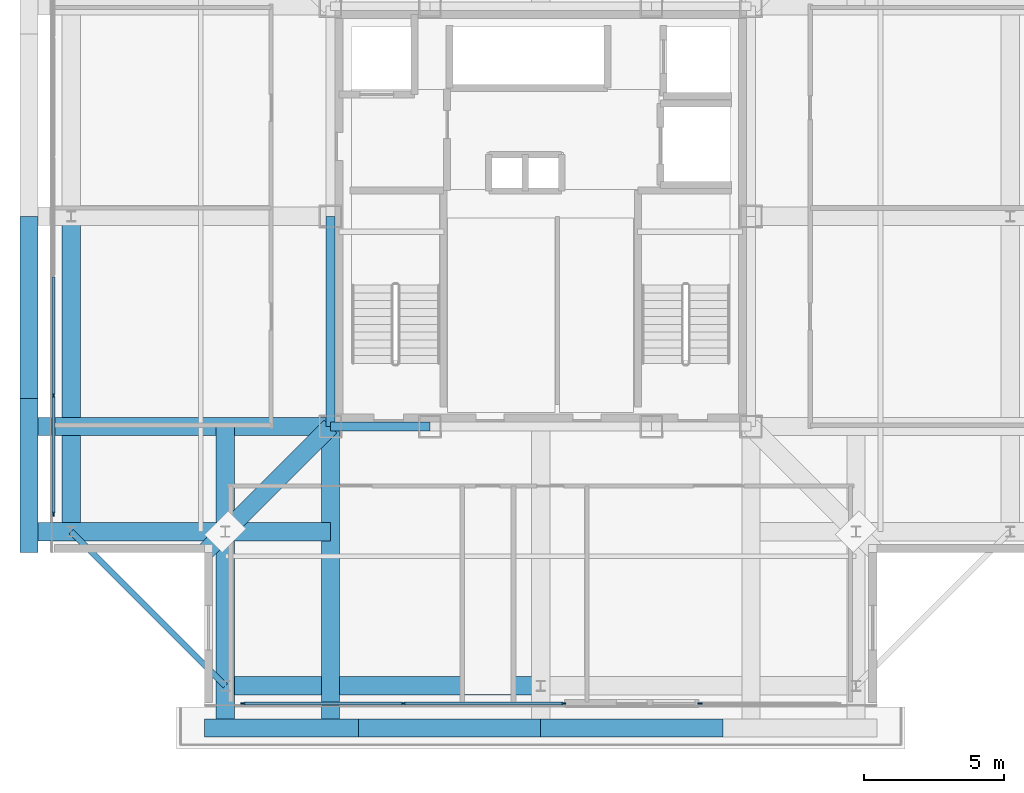
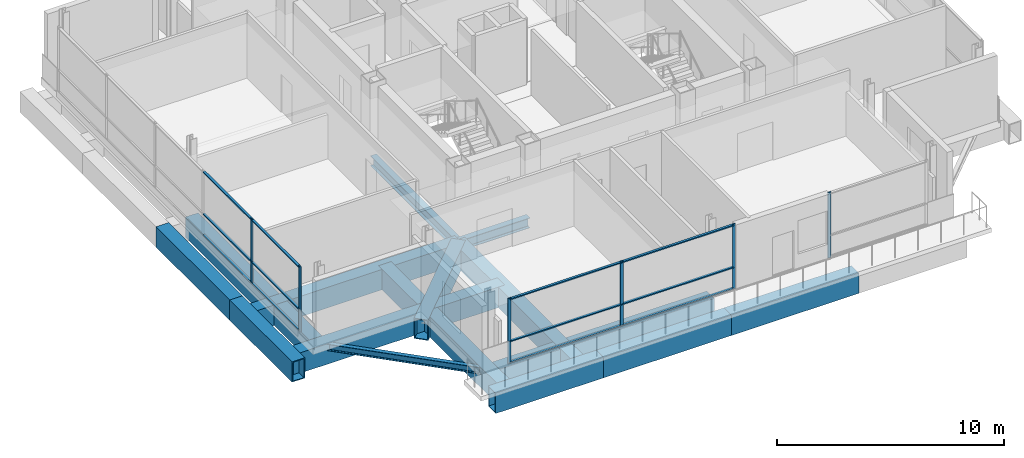
# One storey, part 2 of 15: 18 members, 15 beams, 3 elements without a shape of their own.
"""IFC4 building model written with IfcOpenShell, lengths in metres."""

from ifc_helpers import new_model, si_unit, direction, frame, origin, origin_2d, place, context, subcontext, project, spatial, rectangle, hollow_rectangle, i_section, extrude, material, layer, layer_set, material_profile, profile_set, type_object, element, aggregate, save


model = new_model("IFC4")

# Units and contexts
model_context = context("Model", 3, precision=1e-05, world=origin(), true_north=direction((0.0, 1.0)))
body_context = subcontext(model_context, "Body", "Model", "MODEL_VIEW")
ifc_project = project(units=[si_unit("LENGTHUNIT", "METRE"), si_unit("AREAUNIT", "SQUARE_METRE"), si_unit("VOLUMEUNIT", "CUBIC_METRE"), si_unit("PLANEANGLEUNIT", "RADIAN"), si_unit("MASSUNIT", "GRAM", prefix="KILO")], contexts=[model_context])

# Site, building, storey
site_placement = place(None, origin())
site = spatial("IfcSite", under=ifc_project, at=site_placement, CompositionType="ELEMENT")
building_placement = place(site_placement, origin())
building = spatial("IfcBuilding", under=site, at=building_placement, Name="Trevonay Congress Spire", CompositionType="ELEMENT")
storey_placement = place(building_placement, frame((0.0, 0.0, 300.800048828125)))
storey = spatial("IfcBuildingStorey", under=building, at=storey_placement, Name="L79", CompositionType="ELEMENT", Elevation=300.800048828125)

# Beams
ifc_material_1 = material(Name="Steel ASTM A572 Grade 50", Category="steel")
ifc_material_profile_1 = material_profile(ifc_material_1, i_section(OverallWidth=0.31201171875, OverallDepth=0.54296875, WebThickness=0.0126953125, FlangeThickness=0.020263671875, FilletRadius=0.014892578125, at=origin_2d()), Name="W530x150")
ifc_profile_set_1 = profile_set([ifc_material_profile_1], Name="Steel ASTM A572 Grade 50")
beam_type_1 = type_object("IfcBeamType", Name="BM-GIRD-W530X150", PredefinedType="BEAM", material=ifc_profile_set_1)
beam_1_placement = place(storey_placement, frame((-7.5, -7.5, -0.671630859375), z_axis=(1.0, 0.0, 0.0), x_axis=(0.0, 1.0, 0.0)))
element("IfcBeam", 1, at=beam_1_placement, inside=storey, type_object=beam_type_1, Name="L79 structural beam BM-L79-CR-S1", PredefinedType="BEAM", context=body_context, shape_type="SweptSolid", body=[
    extrude(i_section(OverallWidth=0.31201171875, OverallDepth=0.54296875, WebThickness=0.0126953125, FlangeThickness=0.020263671875, FilletRadius=0.014892578125, at=origin_2d()), origin(), (0.0, 0.0, 1.0), 3.550048828125),
])
beam_2_placement = place(storey_placement, frame((-7.5, -7.5, -0.671630859375), z_axis=(0.0, 1.0, 0.0), x_axis=(-1.0, 0.0, 0.0)))
element("IfcBeam", 2, at=beam_2_placement, inside=storey, type_object=beam_type_1, Name="L79 structural beam BM-L79-CR-W1", PredefinedType="BEAM", context=body_context, shape_type="SweptSolid", body=[
    extrude(i_section(OverallWidth=0.31201171875, OverallDepth=0.54296875, WebThickness=0.0126953125, FlangeThickness=0.020263671875, FilletRadius=0.014892578125, at=origin_2d()), origin(), (0.0, 0.0, 1.0), 7.5),
])
ifc_material_profile_2 = material_profile(ifc_material_1, hollow_rectangle(XDim=0.64990234375, YDim=1.10009765625, WallThickness=0.044921875, at=origin_2d()), Name="BOX 1100x650x45")
ifc_profile_set_2 = profile_set([ifc_material_profile_2], Name="Steel ASTM A572 Grade 50")
beam_type_2 = type_object("IfcBeamType", Name="BM-RING-BOX1100", PredefinedType="BEAM", material=ifc_profile_set_2)
for number, where, z_axis, x_axis, name in (
    (3, (-11.25, -16.75, -0.949951171875), (1.0, 0.0, 0.0), (0.0, 1.0, 0.0), "L79 structural beam BM-L79-PS1"),
    (4, (-16.75, -11.25, -0.949951171875), (0.0, 1.0, 0.0), (-1.0, 0.0, 0.0), "L79 structural beam BM-L79-PW1"),
):
    element("IfcBeam", number, at=place(storey_placement, frame(where, z_axis=z_axis, x_axis=x_axis)), inside=storey, type_object=beam_type_2, Name=name, PredefinedType="BEAM", context=body_context, shape_type="SweptSolid", body=[
        extrude(hollow_rectangle(XDim=0.64990234375, YDim=1.10009765625, WallThickness=0.044921875, at=origin_2d()), origin(), (0.0, 0.0, 1.0), 11.25),
    ])
for number, where, z_axis, x_axis, name in (
    (5, (-12.0, -18.25, -0.949951171875), (1.0, 0.0, 0.0), (0.0, 1.0, 0.0), "L79 structural beam XOUT-L79-S0"),
    (6, (-18.25, -12.0, -0.949951171875), (0.0, 1.0, 0.0), (-1.0, 0.0, 0.0), "L79 structural beam XOUT-L79-W0"),
):
    element("IfcBeam", number, at=place(storey_placement, frame(where, z_axis=z_axis, x_axis=x_axis)), inside=storey, type_object=beam_type_2, Name=name, PredefinedType="BEAM", context=body_context, shape_type="SweptSolid", body=[
        extrude(hollow_rectangle(XDim=0.64990234375, YDim=1.10009765625, WallThickness=0.044921875, at=origin_2d()), origin(), (0.0, 0.0, 1.0), 5.5),
    ])
for number, where, z_axis, x_axis, name in (
    (7, (-6.5, -18.25, -0.949951171875), (1.0, 0.0, 0.0), (0.0, 1.0, 0.0), "L79 structural beam XOUT-L79-S1"),
    (8, (-18.25, -6.5, -0.949951171875), (0.0, 1.0, 0.0), (-1.0, 0.0, 0.0), "L79 structural beam XOUT-L79-W1"),
    (9, (0.0, -18.25, -0.949951171875), (1.0, 0.0, 0.0), (0.0, 1.0, 0.0), "L79 structural beam XOUT-L79-S2"),
):
    element("IfcBeam", number, at=place(storey_placement, frame(where, z_axis=z_axis, x_axis=x_axis)), inside=storey, type_object=beam_type_2, Name=name, PredefinedType="BEAM", context=body_context, shape_type="SweptSolid", body=[
        extrude(hollow_rectangle(XDim=0.64990234375, YDim=1.10009765625, WallThickness=0.044921875, at=origin_2d()), origin(), (0.0, 0.0, 1.0), 6.5),
    ])
ifc_material_profile_3 = material_profile(ifc_material_1, hollow_rectangle(XDim=0.64990234375, YDim=1.10009765625, WallThickness=0.044921875, at=origin_2d()), Name="BOX 1100x650x45")
ifc_profile_set_3 = profile_set([ifc_material_profile_3], Name="Steel ASTM A572 Grade 50")
beam_type_3 = type_object("IfcBeamType", Name="BM-XFER-BOX1100", PredefinedType="BEAM", material=ifc_profile_set_3)
beam_3_placement = place(storey_placement, frame((-7.5, -7.5, -0.949951171875), z_axis=(-0.707106781187, -0.707106781187, 0.0), x_axis=(0.707106781187, -0.707106781187, 0.0)))
element("IfcBeam", 10, at=beam_3_placement, inside=storey, type_object=beam_type_3, Name="L79 structural beam BM-L79-CDSW", PredefinedType="BEAM", context=body_context, shape_type="SweptSolid", body=[
    extrude(hollow_rectangle(XDim=0.64990234375, YDim=1.10009765625, WallThickness=0.044921875, at=origin_2d()), origin(), (0.0, 0.0, 1.0), 6.364013671875),
])
for number, where, z_axis, x_axis, name in (
    (11, (-7.5, -7.5, -0.949951171875), (-1.0, 0.0, 0.0), (0.0, -1.0, 0.0), "L79 structural beam XSPN-L79-CX-SW"),
    (12, (-7.5, -7.5, -0.949951171875), (0.0, -1.0, 0.0), (1.0, 0.0, 0.0), "L79 structural beam XSPN-L79-CY-SW"),
    (13, (-11.25, -7.5, -0.949951171875), (0.0, -1.0, 0.0), (1.0, 0.0, 0.0), "L79 structural beam XFER-L79-S0"),
    (14, (-7.5, -11.25, -0.949951171875), (-1.0, 0.0, 0.0), (0.0, -1.0, 0.0), "L79 structural beam XFER-L79-W0"),
):
    element("IfcBeam", number, at=place(storey_placement, frame(where, z_axis=z_axis, x_axis=x_axis)), inside=storey, type_object=beam_type_3, Name=name, PredefinedType="BEAM", context=body_context, shape_type="SweptSolid", body=[
        extrude(hollow_rectangle(XDim=0.64990234375, YDim=1.10009765625, WallThickness=0.044921875, at=origin_2d()), origin(), (0.0, 0.0, 1.0), 10.75),
    ])

# Curtain wall, members
ifc_material_2 = material(Name="Pale Anodised Aluminium EN AW-6063-T6", Category="aluminium")
ifc_layer = layer(ifc_material_2, 0.159912109375, Name="Pale Anodised Aluminium EN AW-6063-T6")
ifc_layer_set = layer_set([ifc_layer], Name="Pale Anodised Aluminium EN AW-6063-T6")
curtain_wall_type = type_object("IfcCurtainWallType", Name="CW-SYS06-CROWN-PALE-METAL", PredefinedType="NOTDEFINED", material=ifc_layer_set)
curtain_wall_1_placement = place(storey_placement, origin())
curtain_wall_1 = element("IfcCurtainWall", 15, at=curtain_wall_1_placement, inside=storey, type_object=curtain_wall_type, Name="L79 SA unitised curtain wall", PredefinedType="NOTDEFINED")
ifc_material_profile_4 = material_profile(ifc_material_2, rectangle(XDim=0.06005859375, YDim=0.159912109375, at=origin_2d()), Name="CW-MULLION-160-ALUMINIUM")
ifc_profile_set_4 = profile_set([ifc_material_profile_4], Name="Pale Anodised Aluminium EN AW-6063-T6")
member_type_1 = type_object("IfcMemberType", Name="CW-MULLION-160-ALUMINIUM", PredefinedType="MULLION", material=ifc_profile_set_4)
member_1_placement = place(storey_placement, frame((-10.6201171875, -17.3798828125, 0.0), z_axis=(0.0, 0.0, 1.0), x_axis=(0.0, 1.0, 0.0)))
member_1 = element("IfcMember", 16, at=member_1_placement, type_object=member_type_1, Name="CW06 mullion 1", PredefinedType="MULLION", context=body_context, shape_type="SweptSolid", body=[
    extrude(rectangle(XDim=0.06005859375, YDim=0.159912109375, at=origin_2d()), origin(), (0.0, 0.0, 1.0), 3.52001953125),
])
member_2_placement = place(storey_placement, frame((-4.89990234375, -17.3798828125, 0.0), z_axis=(0.0, 0.0, 1.0), x_axis=(0.0, 1.0, 0.0)))
member_2 = element("IfcMember", 17, at=member_2_placement, type_object=member_type_1, Name="CW06 mullion 2", PredefinedType="MULLION", context=body_context, shape_type="SweptSolid", body=[
    extrude(rectangle(XDim=0.06005859375, YDim=0.159912109375, at=origin_2d()), origin(), (0.0, 0.0, 1.0), 3.52001953125),
])
member_3_placement = place(storey_placement, frame((0.820068359375, -17.3798828125, 0.0), z_axis=(0.0, 0.0, 1.0), x_axis=(0.0, 1.0, 0.0)))
member_3 = element("IfcMember", 18, at=member_3_placement, type_object=member_type_1, Name="CW06 mullion 3", PredefinedType="MULLION", context=body_context, shape_type="SweptSolid", body=[
    extrude(rectangle(XDim=0.06005859375, YDim=0.159912109375, at=origin_2d()), origin(), (0.0, 0.0, 1.0), 3.52001953125),
])

# Curtain wall, member
curtain_wall_2_placement = place(storey_placement, origin())
curtain_wall_2 = element("IfcCurtainWall", 19, at=curtain_wall_2_placement, inside=storey, type_object=curtain_wall_type, Name="L79 SB unitised curtain wall", PredefinedType="NOTDEFINED")
member_4_placement = place(storey_placement, frame((5.679931640625, -17.3798828125, 0.0), z_axis=(0.0, 0.0, 1.0), x_axis=(0.0, 1.0, 0.0)))
member_4 = element("IfcMember", 20, at=member_4_placement, type_object=member_type_1, Name="CW06 mullion 1", PredefinedType="MULLION", context=body_context, shape_type="SweptSolid", body=[
    extrude(rectangle(XDim=0.06005859375, YDim=0.159912109375, at=origin_2d()), origin(), (0.0, 0.0, 1.0), 3.52001953125),
])
aggregate(curtain_wall_2, [member_4])

# Curtain wall, members
curtain_wall_3_placement = place(storey_placement, origin())
curtain_wall_3 = element("IfcCurtainWall", 21, at=curtain_wall_3_placement, inside=storey, type_object=curtain_wall_type, Name="L79 W unitised curtain wall", PredefinedType="NOTDEFINED")
member_5_placement = place(storey_placement, frame((-17.3798828125, -10.6201171875, 0.0), z_axis=(0.0, 0.0, 1.0), x_axis=(-1.0, 0.0, 0.0)))
member_5 = element("IfcMember", 22, at=member_5_placement, type_object=member_type_1, Name="CW06 mullion 1", PredefinedType="MULLION", context=body_context, shape_type="SweptSolid", body=[
    extrude(rectangle(XDim=0.06005859375, YDim=0.159912109375, at=origin_2d()), origin(), (0.0, 0.0, 1.0), 3.52001953125),
])
member_6_placement = place(storey_placement, frame((-17.3798828125, -6.389892578125, 0.0), z_axis=(0.0, 0.0, 1.0), x_axis=(-1.0, 0.0, 0.0)))
member_6 = element("IfcMember", 23, at=member_6_placement, type_object=member_type_1, Name="CW06 mullion 2", PredefinedType="MULLION", context=body_context, shape_type="SweptSolid", body=[
    extrude(rectangle(XDim=0.06005859375, YDim=0.159912109375, at=origin_2d()), origin(), (0.0, 0.0, 1.0), 3.52001953125),
])

# Member
ifc_material_profile_5 = material_profile(ifc_material_2, rectangle(XDim=0.1201171875, YDim=0.06005859375, at=origin_2d()), Name="CW-TRANSOM-120-ALUMINIUM")
ifc_profile_set_5 = profile_set([ifc_material_profile_5], Name="Pale Anodised Aluminium EN AW-6063-T6")
member_type_2 = type_object("IfcMemberType", Name="CW-TRANSOM-120-ALUMINIUM", PredefinedType="USERDEFINED", material=ifc_profile_set_5)
member_7_placement = place(storey_placement, frame((-10.590087890625, -17.3798828125, 0.06005859375), z_axis=(1.0, 0.0, 0.0), x_axis=(0.0, 1.0, 0.0)))
member_7 = element("IfcMember", 24, at=member_7_placement, type_object=member_type_2, Name="CW06 transom 1.1", ObjectType="TRANSOM", PredefinedType="USERDEFINED", context=body_context, shape_type="SweptSolid", body=[
    extrude(rectangle(XDim=0.1201171875, YDim=0.06005859375, at=origin_2d()), origin(), (0.0, 0.0, 1.0), 5.66015625),
])

member_8_placement = place(storey_placement, frame((-10.590087890625, -17.3798828125, 1.19677734375), z_axis=(1.0, 0.0, 0.0), x_axis=(0.0, 1.0, 0.0)))
member_8 = element("IfcMember", 25, at=member_8_placement, type_object=member_type_2, Name="CW06 transom 1.2", ObjectType="TRANSOM", PredefinedType="USERDEFINED", context=body_context, shape_type="SweptSolid", body=[
    extrude(rectangle(XDim=0.1201171875, YDim=0.06005859375, at=origin_2d()), origin(), (0.0, 0.0, 1.0), 5.66015625),
])

member_9_placement = place(storey_placement, frame((-10.590087890625, -17.3798828125, 3.4599609375), z_axis=(1.0, 0.0, 0.0), x_axis=(0.0, 1.0, 0.0)))
member_9 = element("IfcMember", 26, at=member_9_placement, type_object=member_type_2, Name="CW06 transom 1.3", ObjectType="TRANSOM", PredefinedType="USERDEFINED", context=body_context, shape_type="SweptSolid", body=[
    extrude(rectangle(XDim=0.1201171875, YDim=0.06005859375, at=origin_2d()), origin(), (0.0, 0.0, 1.0), 5.66015625),
])

member_10_placement = place(storey_placement, frame((-4.8701171875, -17.3798828125, 0.06005859375), z_axis=(1.0, 0.0, 0.0), x_axis=(0.0, 1.0, 0.0)))
member_10 = element("IfcMember", 27, at=member_10_placement, type_object=member_type_2, Name="CW06 transom 2.1", ObjectType="TRANSOM", PredefinedType="USERDEFINED", context=body_context, shape_type="SweptSolid", body=[
    extrude(rectangle(XDim=0.1201171875, YDim=0.06005859375, at=origin_2d()), origin(), (0.0, 0.0, 1.0), 5.66015625),
])

member_11_placement = place(storey_placement, frame((-4.8701171875, -17.3798828125, 1.19677734375), z_axis=(1.0, 0.0, 0.0), x_axis=(0.0, 1.0, 0.0)))
member_11 = element("IfcMember", 28, at=member_11_placement, type_object=member_type_2, Name="CW06 transom 2.2", ObjectType="TRANSOM", PredefinedType="USERDEFINED", context=body_context, shape_type="SweptSolid", body=[
    extrude(rectangle(XDim=0.1201171875, YDim=0.06005859375, at=origin_2d()), origin(), (0.0, 0.0, 1.0), 5.66015625),
])

member_12_placement = place(storey_placement, frame((-4.8701171875, -17.3798828125, 3.4599609375), z_axis=(1.0, 0.0, 0.0), x_axis=(0.0, 1.0, 0.0)))
member_12 = element("IfcMember", 29, at=member_12_placement, type_object=member_type_2, Name="CW06 transom 2.3", ObjectType="TRANSOM", PredefinedType="USERDEFINED", context=body_context, shape_type="SweptSolid", body=[
    extrude(rectangle(XDim=0.1201171875, YDim=0.06005859375, at=origin_2d()), origin(), (0.0, 0.0, 1.0), 5.66015625),
])

aggregate(curtain_wall_1, [member_1, member_2, member_3, member_7, member_8, member_9, member_10, member_11, member_12])

member_13_placement = place(storey_placement, frame((-17.3798828125, -10.590087890625, 0.06005859375), z_axis=(0.0, 1.0, 0.0), x_axis=(-1.0, 0.0, 0.0)))
member_13 = element("IfcMember", 30, at=member_13_placement, type_object=member_type_2, Name="CW06 transom 1.1", ObjectType="TRANSOM", PredefinedType="USERDEFINED", context=body_context, shape_type="SweptSolid", body=[
    extrude(rectangle(XDim=0.1201171875, YDim=0.06005859375, at=origin_2d()), origin(), (0.0, 0.0, 1.0), 4.170166015625),
])

member_14_placement = place(storey_placement, frame((-17.3798828125, -10.590087890625, 1.19677734375), z_axis=(0.0, 1.0, 0.0), x_axis=(-1.0, 0.0, 0.0)))
member_14 = element("IfcMember", 31, at=member_14_placement, type_object=member_type_2, Name="CW06 transom 1.2", ObjectType="TRANSOM", PredefinedType="USERDEFINED", context=body_context, shape_type="SweptSolid", body=[
    extrude(rectangle(XDim=0.1201171875, YDim=0.06005859375, at=origin_2d()), origin(), (0.0, 0.0, 1.0), 4.170166015625),
])

member_15_placement = place(storey_placement, frame((-17.3798828125, -10.590087890625, 3.4599609375), z_axis=(0.0, 1.0, 0.0), x_axis=(-1.0, 0.0, 0.0)))
member_15 = element("IfcMember", 32, at=member_15_placement, type_object=member_type_2, Name="CW06 transom 1.3", ObjectType="TRANSOM", PredefinedType="USERDEFINED", context=body_context, shape_type="SweptSolid", body=[
    extrude(rectangle(XDim=0.1201171875, YDim=0.06005859375, at=origin_2d()), origin(), (0.0, 0.0, 1.0), 4.170166015625),
])

member_16_placement = place(storey_placement, frame((-17.3798828125, -6.360107421875, 0.06005859375), z_axis=(0.0, 1.0, 0.0), x_axis=(-1.0, 0.0, 0.0)))
member_16 = element("IfcMember", 33, at=member_16_placement, type_object=member_type_2, Name="CW06 transom 2.1", ObjectType="TRANSOM", PredefinedType="USERDEFINED", context=body_context, shape_type="SweptSolid", body=[
    extrude(rectangle(XDim=0.1201171875, YDim=0.06005859375, at=origin_2d()), origin(), (0.0, 0.0, 1.0), 4.2001953125),
])

member_17_placement = place(storey_placement, frame((-17.3798828125, -6.360107421875, 1.19677734375), z_axis=(0.0, 1.0, 0.0), x_axis=(-1.0, 0.0, 0.0)))
member_17 = element("IfcMember", 34, at=member_17_placement, type_object=member_type_2, Name="CW06 transom 2.2", ObjectType="TRANSOM", PredefinedType="USERDEFINED", context=body_context, shape_type="SweptSolid", body=[
    extrude(rectangle(XDim=0.1201171875, YDim=0.06005859375, at=origin_2d()), origin(), (0.0, 0.0, 1.0), 4.2001953125),
])

member_18_placement = place(storey_placement, frame((-17.3798828125, -6.360107421875, 3.4599609375), z_axis=(0.0, 1.0, 0.0), x_axis=(-1.0, 0.0, 0.0)))
member_18 = element("IfcMember", 35, at=member_18_placement, type_object=member_type_2, Name="CW06 transom 2.3", ObjectType="TRANSOM", PredefinedType="USERDEFINED", context=body_context, shape_type="SweptSolid", body=[
    extrude(rectangle(XDim=0.1201171875, YDim=0.06005859375, at=origin_2d()), origin(), (0.0, 0.0, 1.0), 4.2001953125),
])

aggregate(curtain_wall_3, [member_5, member_6, member_13, member_14, member_15, member_16, member_17, member_18])

# Beam
ifc_material_profile_6 = material_profile(ifc_material_1, i_section(OverallWidth=0.205078125, OverallDepth=0.35400390625, WebThickness=0.009521484375, FlangeThickness=0.016845703125, FilletRadius=0.011962890625, at=origin_2d()), Name="W360x79")
ifc_profile_set_6 = profile_set([ifc_material_profile_6], Name="Steel ASTM A572 Grade 50")
beam_type_4 = type_object("IfcBeamType", Name="SPB-HSS350", PredefinedType="SPANDREL", material=ifc_profile_set_6)
beam_4_placement = place(storey_placement, frame((-11.25, -16.75, -0.5771484375), z_axis=(-0.707106781187, 0.707106781187, 0.0), x_axis=(-0.707106781187, -0.707106781187, 0.0)))
element("IfcBeam", 36, at=beam_4_placement, inside=storey, type_object=beam_type_4, Name="L79 structural beam SPB-L79-SW", PredefinedType="SPANDREL", context=body_context, shape_type="SweptSolid", body=[
    extrude(i_section(OverallWidth=0.205078125, OverallDepth=0.35400390625, WebThickness=0.009521484375, FlangeThickness=0.016845703125, FilletRadius=0.011962890625, at=origin_2d()), origin(), (0.0, 0.0, 1.0), 7.778076171875),
])

save(model, "model.ifc")
